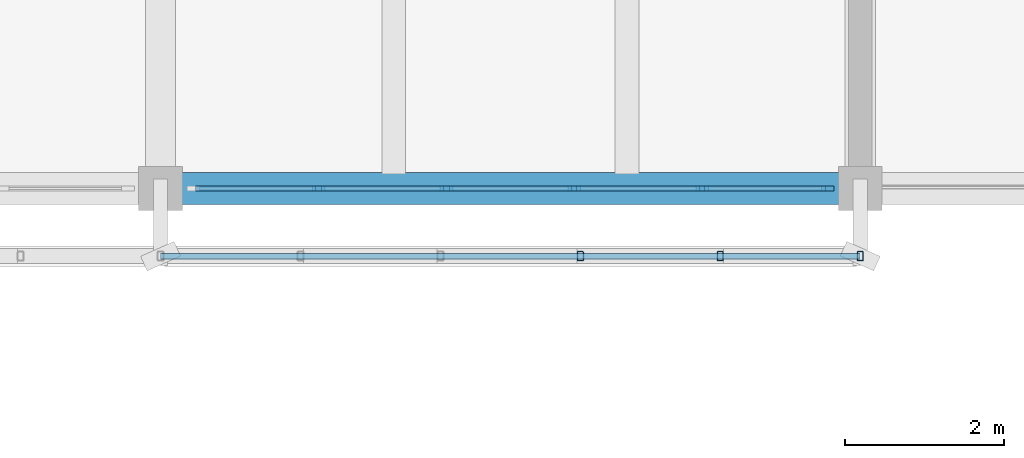
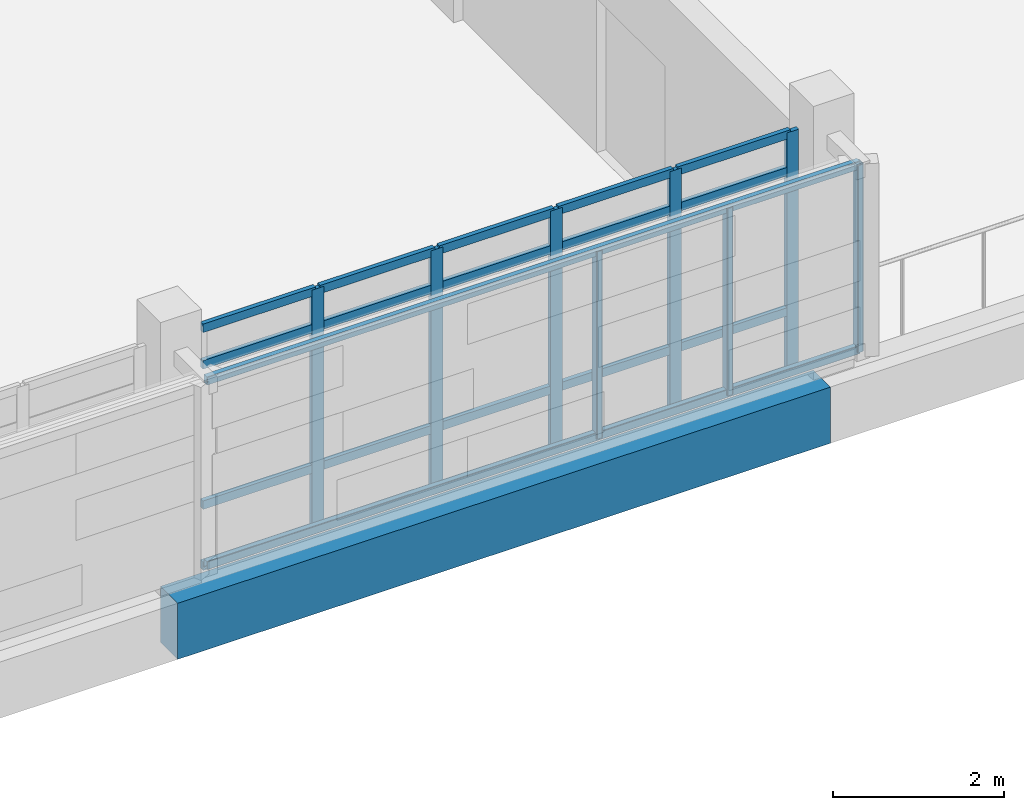
# One storey, part 61 of 117: 30 members, 1 beam, 1 element without a shape of its own.
"""IFC4 building model written with IfcOpenShell, lengths in metres."""

from ifc_helpers import new_model, si_unit, direction, frame, origin, origin_2d, place, context, subcontext, project, spatial, rectangle, hollow_rectangle, extrude, material, material_profile, profile_set, type_object, element, aggregate, save


model = new_model("IFC4")

# Units and contexts
model_context = context("Model", 3, precision=1e-05, world=origin(), true_north=direction((0.0, 1.0)))
body_context = subcontext(model_context, "Body", "Model", "MODEL_VIEW")
ifc_project = project(units=[si_unit("LENGTHUNIT", "METRE"), si_unit("AREAUNIT", "SQUARE_METRE"), si_unit("VOLUMEUNIT", "CUBIC_METRE"), si_unit("PLANEANGLEUNIT", "RADIAN"), si_unit("MASSUNIT", "GRAM", prefix="KILO")], contexts=[model_context])

# Site, building, storey
site_placement = place(None, origin())
site = spatial("IfcSite", under=ifc_project, at=site_placement, CompositionType="ELEMENT")
building_placement = place(site_placement, origin())
building = spatial("IfcBuilding", under=site, at=building_placement, Name="Cinderway Yard Community Centre", CompositionType="ELEMENT")
storey_placement = place(building_placement, frame((0.0, 0.0, 9.0)))
storey = spatial("IfcBuildingStorey", under=building, at=storey_placement, Name="L02", CompositionType="ELEMENT", Elevation=9.0)

# Curtain wall, members
ifc_material_1 = material(Name="Aluminium 6063-T6", Category="aluminium")
curtain_wall_type = type_object("IfcCurtainWallType", Name="ENV-CW-TYPE-30", PredefinedType="USERDEFINED", material=ifc_material_1)
curtain_wall_placement = place(storey_placement, origin())
curtain_wall = element("IfcCurtainWall", 1, at=curtain_wall_placement, inside=storey, type_object=curtain_wall_type, Name="V4 Courtyard Curtain Wall ENV-CW-L02-ST-0158", ObjectType="GLAZED CURTAIN WALL", PredefinedType="USERDEFINED")
ifc_material_profile_1 = material_profile(ifc_material_1, rectangle(XDim=0.06005859375, YDim=0.159912109375, at=origin_2d()), Name="Aluminium 6063-T6")
ifc_profile_set_1 = profile_set([ifc_material_profile_1], Name="Aluminium 6063-T6")
member_type_1 = type_object("IfcMemberType", Name="ENV-CW-MULL-150", PredefinedType="MULLION", material=ifc_profile_set_1)
member_1_placement = place(storey_placement, frame((129.988037109375, 90.0, 0.0), z_axis=(0.0, 0.0, 1.0), x_axis=(0.0, 1.0, 0.0)))
member_1 = element("IfcMember", 2, at=member_1_placement, type_object=member_type_1, Name="CW-30 mullion 2", PredefinedType="MULLION", context=body_context, shape_type="SweptSolid", body=[
    extrude(rectangle(XDim=0.06005859375, YDim=0.159912109375, at=origin_2d()), origin(), (0.0, 0.0, 1.0), 3.449951171875),
])
member_2_placement = place(storey_placement, frame((131.595947265625, 90.0, 0.0), z_axis=(0.0, 0.0, 1.0), x_axis=(0.0, 1.0, 0.0)))
member_2 = element("IfcMember", 3, at=member_2_placement, type_object=member_type_1, Name="CW-30 mullion 3", PredefinedType="MULLION", context=body_context, shape_type="SweptSolid", body=[
    extrude(rectangle(XDim=0.06005859375, YDim=0.159912109375, at=origin_2d()), origin(), (0.0, 0.0, 1.0), 3.449951171875),
])
member_3_placement = place(storey_placement, frame((133.2041015625, 90.0, 0.0), z_axis=(0.0, 0.0, 1.0), x_axis=(0.0, 1.0, 0.0)))
member_3 = element("IfcMember", 4, at=member_3_placement, type_object=member_type_1, Name="CW-30 mullion 4", PredefinedType="MULLION", context=body_context, shape_type="SweptSolid", body=[
    extrude(rectangle(XDim=0.06005859375, YDim=0.159912109375, at=origin_2d()), origin(), (0.0, 0.0, 1.0), 3.449951171875),
])
member_4_placement = place(storey_placement, frame((134.81201171875, 90.0, 0.0), z_axis=(0.0, 0.0, 1.0), x_axis=(0.0, 1.0, 0.0)))
member_4 = element("IfcMember", 5, at=member_4_placement, type_object=member_type_1, Name="CW-30 mullion 5", PredefinedType="MULLION", context=body_context, shape_type="SweptSolid", body=[
    extrude(rectangle(XDim=0.06005859375, YDim=0.159912109375, at=origin_2d()), origin(), (0.0, 0.0, 1.0), 3.449951171875),
])
member_5_placement = place(storey_placement, frame((136.389892578125, 90.0, 0.0), z_axis=(0.0, 0.0, 1.0), x_axis=(0.0, 1.0, 0.0)))
member_5 = element("IfcMember", 6, at=member_5_placement, type_object=member_type_1, Name="CW-30 mullion 6", PredefinedType="MULLION", context=body_context, shape_type="SweptSolid", body=[
    extrude(rectangle(XDim=0.06005859375, YDim=0.159912109375, at=origin_2d()), origin(), (0.0, 0.0, 1.0), 3.449951171875),
])
ifc_material_profile_2 = material_profile(ifc_material_1, rectangle(XDim=0.06005859375, YDim=0.1201171875, at=origin_2d()), Name="Aluminium 6063-T6")
ifc_profile_set_2 = profile_set([ifc_material_profile_2], Name="Aluminium 6063-T6")
member_type_2 = type_object("IfcMemberType", Name="ENV-CW-TRAN-110", PredefinedType="USERDEFINED", material=ifc_profile_set_2)
member_6_placement = place(storey_placement, frame((128.43994140625, 90.0, 0.030029296875), z_axis=(1.0, 0.0, 0.0), x_axis=(0.0, 1.0, 0.0)))
member_6 = element("IfcMember", 7, at=member_6_placement, type_object=member_type_2, Name="CW-30 transom 1.1", ObjectType="TRANSOM", PredefinedType="USERDEFINED", context=body_context, shape_type="SweptSolid", body=[
    extrude(rectangle(XDim=0.06005859375, YDim=0.1201171875, at=origin_2d()), origin(), (0.0, 0.0, 1.0), 1.51806640625),
])
member_7_placement = place(storey_placement, frame((128.43994140625, 90.0, 0.89990234375), z_axis=(1.0, 0.0, 0.0), x_axis=(0.0, 1.0, 0.0)))
member_7 = element("IfcMember", 8, at=member_7_placement, type_object=member_type_2, Name="CW-30 transom 1.2", ObjectType="TRANSOM", PredefinedType="USERDEFINED", context=body_context, shape_type="SweptSolid", body=[
    extrude(rectangle(XDim=0.06005859375, YDim=0.1201171875, at=origin_2d()), origin(), (0.0, 0.0, 1.0), 1.51806640625),
])
member_8_placement = place(storey_placement, frame((128.43994140625, 90.0, 2.89990234375), z_axis=(1.0, 0.0, 0.0), x_axis=(0.0, 1.0, 0.0)))
member_8 = element("IfcMember", 9, at=member_8_placement, type_object=member_type_2, Name="CW-30 transom 1.3", ObjectType="TRANSOM", PredefinedType="USERDEFINED", context=body_context, shape_type="SweptSolid", body=[
    extrude(rectangle(XDim=0.06005859375, YDim=0.1201171875, at=origin_2d()), origin(), (0.0, 0.0, 1.0), 1.51806640625),
])
member_9_placement = place(storey_placement, frame((128.43994140625, 90.0, 3.419921875), z_axis=(1.0, 0.0, 0.0), x_axis=(0.0, 1.0, 0.0)))
member_9 = element("IfcMember", 10, at=member_9_placement, type_object=member_type_2, Name="CW-30 transom 1.4", ObjectType="TRANSOM", PredefinedType="USERDEFINED", context=body_context, shape_type="SweptSolid", body=[
    extrude(rectangle(XDim=0.06005859375, YDim=0.1201171875, at=origin_2d()), origin(), (0.0, 0.0, 1.0), 1.51806640625),
])
member_10_placement = place(storey_placement, frame((130.01806640625, 90.0, 0.030029296875), z_axis=(1.0, 0.0, 0.0), x_axis=(0.0, 1.0, 0.0)))
member_10 = element("IfcMember", 11, at=member_10_placement, type_object=member_type_2, Name="CW-30 transom 2.1", ObjectType="TRANSOM", PredefinedType="USERDEFINED", context=body_context, shape_type="SweptSolid", body=[
    extrude(rectangle(XDim=0.06005859375, YDim=0.1201171875, at=origin_2d()), origin(), (0.0, 0.0, 1.0), 1.5478515625),
])
member_11_placement = place(storey_placement, frame((130.01806640625, 90.0, 0.89990234375), z_axis=(1.0, 0.0, 0.0), x_axis=(0.0, 1.0, 0.0)))
member_11 = element("IfcMember", 12, at=member_11_placement, type_object=member_type_2, Name="CW-30 transom 2.2", ObjectType="TRANSOM", PredefinedType="USERDEFINED", context=body_context, shape_type="SweptSolid", body=[
    extrude(rectangle(XDim=0.06005859375, YDim=0.1201171875, at=origin_2d()), origin(), (0.0, 0.0, 1.0), 1.5478515625),
])
member_12_placement = place(storey_placement, frame((130.01806640625, 90.0, 2.89990234375), z_axis=(1.0, 0.0, 0.0), x_axis=(0.0, 1.0, 0.0)))
member_12 = element("IfcMember", 13, at=member_12_placement, type_object=member_type_2, Name="CW-30 transom 2.3", ObjectType="TRANSOM", PredefinedType="USERDEFINED", context=body_context, shape_type="SweptSolid", body=[
    extrude(rectangle(XDim=0.06005859375, YDim=0.1201171875, at=origin_2d()), origin(), (0.0, 0.0, 1.0), 1.5478515625),
])
member_13_placement = place(storey_placement, frame((130.01806640625, 90.0, 3.419921875), z_axis=(1.0, 0.0, 0.0), x_axis=(0.0, 1.0, 0.0)))
member_13 = element("IfcMember", 14, at=member_13_placement, type_object=member_type_2, Name="CW-30 transom 2.4", ObjectType="TRANSOM", PredefinedType="USERDEFINED", context=body_context, shape_type="SweptSolid", body=[
    extrude(rectangle(XDim=0.06005859375, YDim=0.1201171875, at=origin_2d()), origin(), (0.0, 0.0, 1.0), 1.5478515625),
])
member_14_placement = place(storey_placement, frame((131.6259765625, 90.0, 0.030029296875), z_axis=(1.0, 0.0, 0.0), x_axis=(0.0, 1.0, 0.0)))
member_14 = element("IfcMember", 15, at=member_14_placement, type_object=member_type_2, Name="CW-30 transom 3.1", ObjectType="TRANSOM", PredefinedType="USERDEFINED", context=body_context, shape_type="SweptSolid", body=[
    extrude(rectangle(XDim=0.06005859375, YDim=0.1201171875, at=origin_2d()), origin(), (0.0, 0.0, 1.0), 1.548095703125),
])
member_15_placement = place(storey_placement, frame((131.6259765625, 90.0, 0.89990234375), z_axis=(1.0, 0.0, 0.0), x_axis=(0.0, 1.0, 0.0)))
member_15 = element("IfcMember", 16, at=member_15_placement, type_object=member_type_2, Name="CW-30 transom 3.2", ObjectType="TRANSOM", PredefinedType="USERDEFINED", context=body_context, shape_type="SweptSolid", body=[
    extrude(rectangle(XDim=0.06005859375, YDim=0.1201171875, at=origin_2d()), origin(), (0.0, 0.0, 1.0), 1.548095703125),
])
member_16_placement = place(storey_placement, frame((131.6259765625, 90.0, 2.89990234375), z_axis=(1.0, 0.0, 0.0), x_axis=(0.0, 1.0, 0.0)))
member_16 = element("IfcMember", 17, at=member_16_placement, type_object=member_type_2, Name="CW-30 transom 3.3", ObjectType="TRANSOM", PredefinedType="USERDEFINED", context=body_context, shape_type="SweptSolid", body=[
    extrude(rectangle(XDim=0.06005859375, YDim=0.1201171875, at=origin_2d()), origin(), (0.0, 0.0, 1.0), 1.548095703125),
])
member_17_placement = place(storey_placement, frame((131.6259765625, 90.0, 3.419921875), z_axis=(1.0, 0.0, 0.0), x_axis=(0.0, 1.0, 0.0)))
member_17 = element("IfcMember", 18, at=member_17_placement, type_object=member_type_2, Name="CW-30 transom 3.4", ObjectType="TRANSOM", PredefinedType="USERDEFINED", context=body_context, shape_type="SweptSolid", body=[
    extrude(rectangle(XDim=0.06005859375, YDim=0.1201171875, at=origin_2d()), origin(), (0.0, 0.0, 1.0), 1.548095703125),
])
member_18_placement = place(storey_placement, frame((133.23388671875, 90.0, 0.030029296875), z_axis=(1.0, 0.0, 0.0), x_axis=(0.0, 1.0, 0.0)))
member_18 = element("IfcMember", 19, at=member_18_placement, type_object=member_type_2, Name="CW-30 transom 4.1", ObjectType="TRANSOM", PredefinedType="USERDEFINED", context=body_context, shape_type="SweptSolid", body=[
    extrude(rectangle(XDim=0.06005859375, YDim=0.1201171875, at=origin_2d()), origin(), (0.0, 0.0, 1.0), 1.548095703125),
])
member_19_placement = place(storey_placement, frame((133.23388671875, 90.0, 0.89990234375), z_axis=(1.0, 0.0, 0.0), x_axis=(0.0, 1.0, 0.0)))
member_19 = element("IfcMember", 20, at=member_19_placement, type_object=member_type_2, Name="CW-30 transom 4.2", ObjectType="TRANSOM", PredefinedType="USERDEFINED", context=body_context, shape_type="SweptSolid", body=[
    extrude(rectangle(XDim=0.06005859375, YDim=0.1201171875, at=origin_2d()), origin(), (0.0, 0.0, 1.0), 1.548095703125),
])
member_20_placement = place(storey_placement, frame((133.23388671875, 90.0, 2.89990234375), z_axis=(1.0, 0.0, 0.0), x_axis=(0.0, 1.0, 0.0)))
member_20 = element("IfcMember", 21, at=member_20_placement, type_object=member_type_2, Name="CW-30 transom 4.3", ObjectType="TRANSOM", PredefinedType="USERDEFINED", context=body_context, shape_type="SweptSolid", body=[
    extrude(rectangle(XDim=0.06005859375, YDim=0.1201171875, at=origin_2d()), origin(), (0.0, 0.0, 1.0), 1.548095703125),
])
member_21_placement = place(storey_placement, frame((133.23388671875, 90.0, 3.419921875), z_axis=(1.0, 0.0, 0.0), x_axis=(0.0, 1.0, 0.0)))
member_21 = element("IfcMember", 22, at=member_21_placement, type_object=member_type_2, Name="CW-30 transom 4.4", ObjectType="TRANSOM", PredefinedType="USERDEFINED", context=body_context, shape_type="SweptSolid", body=[
    extrude(rectangle(XDim=0.06005859375, YDim=0.1201171875, at=origin_2d()), origin(), (0.0, 0.0, 1.0), 1.548095703125),
])
member_22_placement = place(storey_placement, frame((134.842041015625, 90.0, 0.030029296875), z_axis=(1.0, 0.0, 0.0), x_axis=(0.0, 1.0, 0.0)))
member_22 = element("IfcMember", 23, at=member_22_placement, type_object=member_type_2, Name="CW-30 transom 5.1", ObjectType="TRANSOM", PredefinedType="USERDEFINED", context=body_context, shape_type="SweptSolid", body=[
    extrude(rectangle(XDim=0.06005859375, YDim=0.1201171875, at=origin_2d()), origin(), (0.0, 0.0, 1.0), 1.51806640625),
])
member_23_placement = place(storey_placement, frame((134.842041015625, 90.0, 0.89990234375), z_axis=(1.0, 0.0, 0.0), x_axis=(0.0, 1.0, 0.0)))
member_23 = element("IfcMember", 24, at=member_23_placement, type_object=member_type_2, Name="CW-30 transom 5.2", ObjectType="TRANSOM", PredefinedType="USERDEFINED", context=body_context, shape_type="SweptSolid", body=[
    extrude(rectangle(XDim=0.06005859375, YDim=0.1201171875, at=origin_2d()), origin(), (0.0, 0.0, 1.0), 1.51806640625),
])
member_24_placement = place(storey_placement, frame((134.842041015625, 90.0, 2.89990234375), z_axis=(1.0, 0.0, 0.0), x_axis=(0.0, 1.0, 0.0)))
member_24 = element("IfcMember", 25, at=member_24_placement, type_object=member_type_2, Name="CW-30 transom 5.3", ObjectType="TRANSOM", PredefinedType="USERDEFINED", context=body_context, shape_type="SweptSolid", body=[
    extrude(rectangle(XDim=0.06005859375, YDim=0.1201171875, at=origin_2d()), origin(), (0.0, 0.0, 1.0), 1.51806640625),
])
member_25_placement = place(storey_placement, frame((134.842041015625, 90.0, 3.419921875), z_axis=(1.0, 0.0, 0.0), x_axis=(0.0, 1.0, 0.0)))
member_25 = element("IfcMember", 26, at=member_25_placement, type_object=member_type_2, Name="CW-30 transom 5.4", ObjectType="TRANSOM", PredefinedType="USERDEFINED", context=body_context, shape_type="SweptSolid", body=[
    extrude(rectangle(XDim=0.06005859375, YDim=0.1201171875, at=origin_2d()), origin(), (0.0, 0.0, 1.0), 1.51806640625),
])
aggregate(curtain_wall, [member_1, member_2, member_3, member_4, member_5, member_6, member_7, member_8, member_9, member_10, member_11, member_12, member_13, member_14, member_15, member_16, member_17, member_18, member_19, member_20, member_21, member_22, member_23, member_24, member_25])

# Members
ifc_material_2 = material(Name="Steel S355", Category="steel")
ifc_material_profile_3 = material_profile(ifc_material_2, hollow_rectangle(XDim=0.080078125, YDim=0.1201171875, WallThickness=0.00634765625, InnerFilletRadius=0.00634765625, OuterFilletRadius=0.0126953125, at=origin_2d()), Name="Steel S355")
ifc_profile_set_3 = profile_set([ifc_material_profile_3], Name="Steel S355")
member_type_3 = type_object("IfcMemberType", Name="ENV-MEM-SCREEN-RAIL-120", PredefinedType="STRINGER", material=ifc_profile_set_3)
for number, where, z_axis, x_axis, name in (
    (27, (128.0, 89.14990234375, 0.7099609375), (1.0, 0.0, 0.0), (0.0, 1.0, 0.0), "Screen support rail 0495-BOT"),
    (28, (128.0, 89.14990234375, 3.340087890625), (1.0, 0.0, 0.0), (0.0, 1.0, 0.0), "Screen support rail 0496-TOP"),
):
    element("IfcMember", number, at=place(storey_placement, frame(where, z_axis=z_axis, x_axis=x_axis)), inside=storey, type_object=member_type_3, Name=name, PredefinedType="STRINGER", context=body_context, shape_type="SweptSolid", body=[
        extrude(hollow_rectangle(XDim=0.080078125, YDim=0.1201171875, WallThickness=0.00634765625, InnerFilletRadius=0.00634765625, OuterFilletRadius=0.0126953125, at=origin_2d()), origin(), (0.0, 0.0, 1.0), 8.800048828125),
    ])
for number, where, z_axis, x_axis, name in (
    (29, (133.280029296875, 89.14990234375, 0.68994140625), (0.0, 0.0, 1.0), (1.0, 0.0, 0.0), "Screen vertical mullion 0499"),
    (30, (135.0400390625, 89.14990234375, 0.68994140625), (0.0, 0.0, 1.0), (1.0, 0.0, 0.0), "Screen vertical mullion 0500"),
    (31, (136.800048828125, 89.14990234375, 0.68994140625), (0.0, 0.0, 1.0), (1.0, 0.0, 0.0), "Screen vertical mullion 0501"),
):
    element("IfcMember", number, at=place(storey_placement, frame(where, z_axis=z_axis, x_axis=x_axis)), inside=storey, type_object=member_type_3, Name=name, PredefinedType="STRINGER", context=body_context, shape_type="SweptSolid", body=[
        extrude(hollow_rectangle(XDim=0.080078125, YDim=0.1201171875, WallThickness=0.00634765625, InnerFilletRadius=0.00634765625, OuterFilletRadius=0.0126953125, at=origin_2d()), origin(), (0.0, 0.0, 1.0), 2.670166015625),
    ])

# Beam
ifc_material_3 = material(Name="Concrete C40/50", Category="concrete")
ifc_material_profile_4 = material_profile(ifc_material_3, rectangle(XDim=0.39990234375, YDim=0.800048828125, at=origin_2d()), Name="Concrete C40/50")
ifc_profile_set_4 = profile_set([ifc_material_profile_4], Name="Concrete C40/50")
beam_type = type_object("IfcBeamType", Name="STR-BM-RC400X800", PredefinedType="BEAM", material=ifc_profile_set_4)
beam_placement = place(storey_placement, frame((128.0, 90.0, -0.639892578125), z_axis=(1.0, 0.0, 0.0), x_axis=(0.0, 1.0, 0.0)))
element("IfcBeam", 32, at=beam_placement, inside=storey, type_object=beam_type, Name="Primary girder STR-BM-L02-BG05-0506", PredefinedType="BEAM", context=body_context, shape_type="SweptSolid", body=[
    extrude(rectangle(XDim=0.39990234375, YDim=0.800048828125, at=origin_2d()), origin(), (0.0, 0.0, 1.0), 8.800048828125),
])

save(model, "model.ifc")
